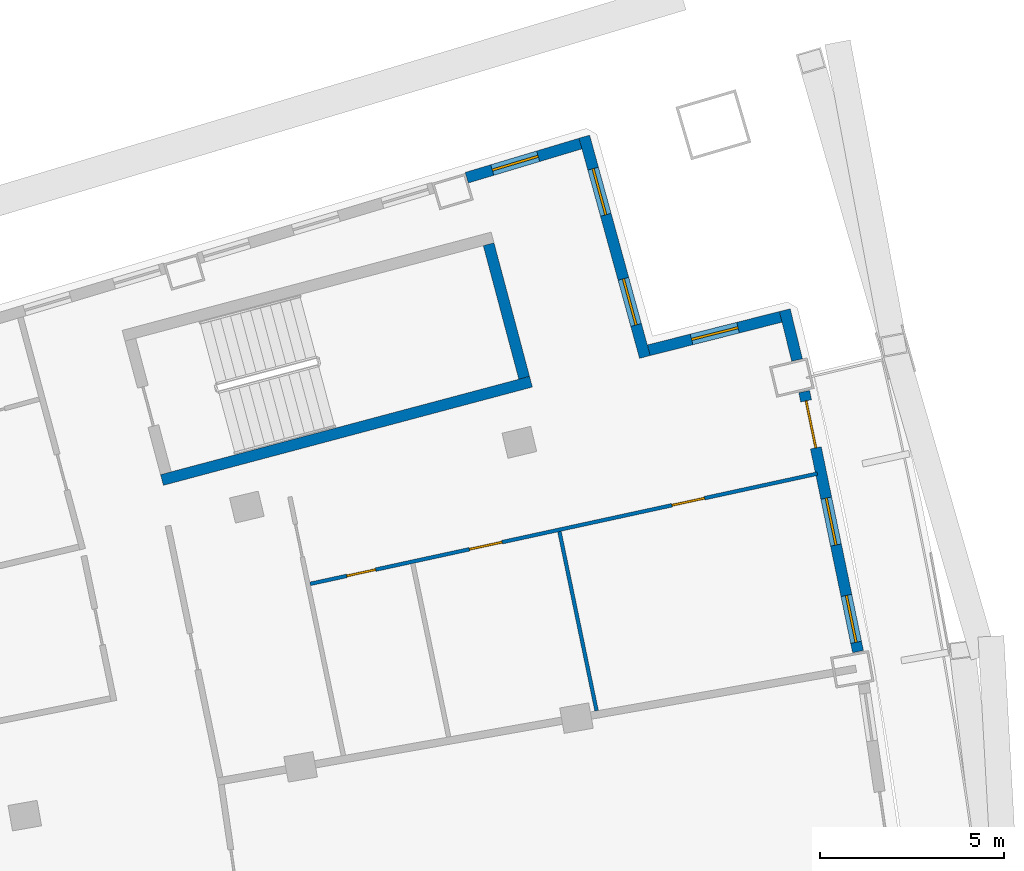
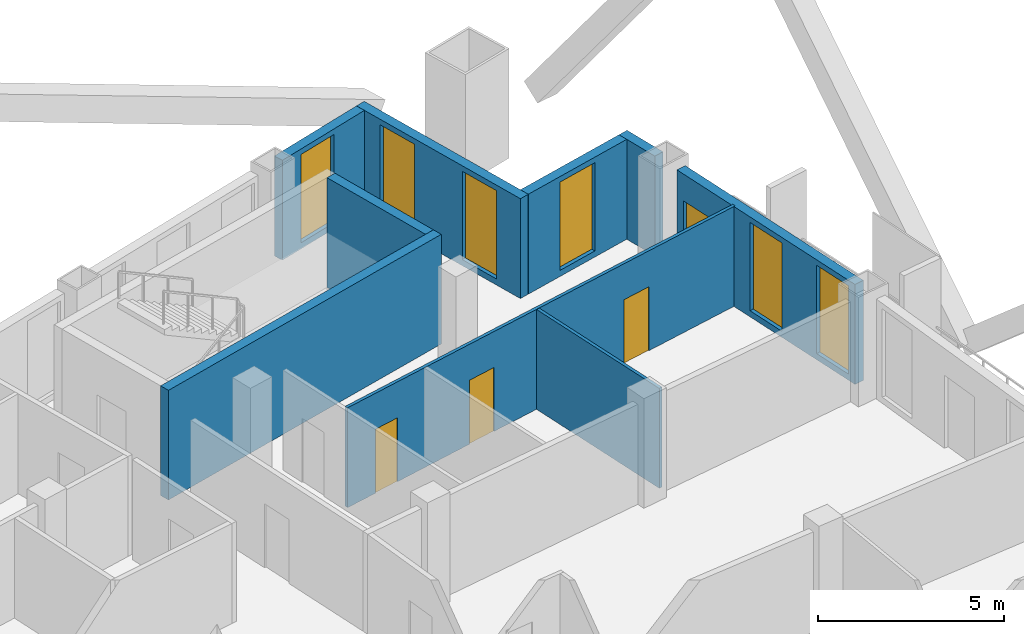
# One storey, part 16 of 20: 9 walls, 6 windows, 4 doors, 10 openings.
"""IFC4 building model written with IfcOpenShell, lengths in metres."""

from ifc_helpers import new_model, si_unit, direction, frame, frame_2d, origin, place, context, subcontext, project, spatial, rectangle, extrude, material, layer, layer_set, type_object, element, fill, save


model = new_model("IFC4")

# Units and contexts
model_context = context("Model", 3, precision=1e-05, world=origin(), true_north=direction((0.0, 1.0)))
body_context = subcontext(model_context, "Body", "Model", "MODEL_VIEW")
ifc_project = project(units=[si_unit("LENGTHUNIT", "METRE"), si_unit("AREAUNIT", "SQUARE_METRE"), si_unit("VOLUMEUNIT", "CUBIC_METRE"), si_unit("PLANEANGLEUNIT", "RADIAN"), si_unit("MASSUNIT", "GRAM", prefix="KILO")], contexts=[model_context])

# Site, building, storey
site_placement = place(None, origin())
site = spatial("IfcSite", under=ifc_project, at=site_placement, CompositionType="ELEMENT")
building_placement = place(site_placement, origin())
building = spatial("IfcBuilding", under=site, at=building_placement, Name="Alderwake Tower", CompositionType="ELEMENT")
storey_placement = place(building_placement, frame((0.0, 0.0, 189.199951171875)))
storey = spatial("IfcBuildingStorey", under=building, at=storey_placement, Name="L46", CompositionType="ELEMENT", Elevation=189.199951171875)

# Walls
ifc_material_1 = material(Name="Concrete C70/85", Category="concrete")
ifc_layer_1 = layer(ifc_material_1, 0.300048828125)
ifc_layer_set_1 = layer_set([ifc_layer_1], Name="Core wall stair enclosure 300 C70-85")
wall_type_1 = type_object("IfcWallType", Name="Core wall stair enclosure 300 C70-85", PredefinedType="SHEAR", material=ifc_layer_set_1)
wall_1_placement = place(storey_placement, frame((37.75390625, 90.268798828125, 0.0), z_axis=(0.0, 0.0, 1.0), x_axis=(0.966309214305, 0.257383958996, 0.0)))
element("IfcWall", 1, at=wall_1_placement, inside=storey, type_object=wall_type_1, Name="Core wall CW.084", PredefinedType="SHEAR", context=body_context, shape_type="SweptSolid", body=[
    extrude(rectangle(XDim=10.360107421875, YDim=0.300048828125, at=frame_2d((5.18017578125, 0.0))), origin(), (0.0, 0.0, 1.0), 3.60009765625),
])
wall_2_placement = place(storey_placement, frame((47.581298828125, 93.041748046875, 0.0), z_axis=(0.0, 0.0, 1.0), x_axis=(-0.257366821694, 0.966313778796, 0.0)))
element("IfcWall", 2, at=wall_2_placement, inside=storey, type_object=wall_type_1, Name="Core wall CW.081", PredefinedType="SHEAR", context=body_context, shape_type="SweptSolid", body=[
    extrude(rectangle(XDim=3.749755859375, YDim=0.300048828125, at=frame_2d((1.875, 0.0))), origin(), (0.0, 0.0, 1.0), 3.60009765625),
])

# Wall, openings, door, windows
ifc_material_2 = material(Name="Precast concrete C50/60 spandrel panel", Category="concrete")
ifc_layer_2 = layer(ifc_material_2, 0.300048828125)
ifc_layer_set_2 = layer_set([ifc_layer_2], Name="External wall EW1 Precast concrete C50/60 spandrel")
wall_type_2 = type_object("IfcWallType", Name="External wall EW1 Precast concrete C50/60 spandrel", PredefinedType="SOLIDWALL", material=ifc_layer_set_2)
wall_3_placement = place(storey_placement, frame((56.638427734375, 85.613037109375, 0.0), z_axis=(0.0, 0.0, 1.0), x_axis=(-0.202740086823, 0.979232585852, 0.0)))
wall_3 = element("IfcWall", 3, at=wall_3_placement, inside=storey, type_object=wall_type_2, Name="External wall 19", PredefinedType="SOLIDWALL", context=body_context, shape_type="SweptSolid", body=[
    extrude(rectangle(XDim=7.20361328125, YDim=0.300048828125, at=frame_2d((3.601806640625, 0.0))), origin(), (0.0, 0.0, 1.0), 3.280029296875),
])
opening_1_placement = place(wall_3_placement, frame((0.257080078125, 0.0, 0.199951171875)))
opening_1 = element("IfcOpeningElement", 4, at=opening_1_placement, cuts=wall_3, Name="Opening W1", PredefinedType="OPENING", context=body_context, shape_type="SweptSolid", body=[
    extrude(rectangle(XDim=1.300048828125, YDim=2.89990234375, at=frame_2d((0.64990234375, 1.449951171875))), frame((0.0, 0.159912109375, 0.0), z_axis=(0.0, -1.0, 0.0), x_axis=(1.0, 0.0, 0.0)), (0.0, 0.0, 1.0), 0.320068359375),
])
opening_2_placement = place(wall_3_placement, frame((2.951904296875, 0.0, 0.199951171875)))
opening_2 = element("IfcOpeningElement", 5, at=opening_2_placement, cuts=wall_3, Name="Opening W1", PredefinedType="OPENING", context=body_context, shape_type="SweptSolid", body=[
    extrude(rectangle(XDim=1.300048828125, YDim=2.89990234375, at=frame_2d((0.64990234375, 1.449951171875))), frame((0.0, 0.159912109375, 0.0), z_axis=(0.0, -1.0, 0.0), x_axis=(1.0, 0.0, 0.0)), (0.0, 0.0, 1.0), 0.320068359375),
])
opening_3_placement = place(wall_3_placement, frame((5.646484375, 0.0, 0.0)))
opening_3 = element("IfcOpeningElement", 6, at=opening_3_placement, cuts=wall_3, Name="Opening D08", PredefinedType="OPENING", context=body_context, shape_type="SweptSolid", body=[
    extrude(rectangle(XDim=1.300048828125, YDim=2.39990234375, at=frame_2d((0.64990234375, 1.199951171875))), frame((0.0, 0.159912109375, 0.0), z_axis=(0.0, -1.0, 0.0), x_axis=(1.0, 0.0, 0.0)), (0.0, 0.0, 1.0), 0.320068359375),
])
ifc_material_3 = material(Name="Bronze tinted glass in aluminium frame", Category="aluminium")
door_type_1 = type_object("IfcDoorType", Name="Balcony door BD sliding", OperationType="SLIDING_TO_LEFT", PredefinedType="DOOR", material=ifc_material_3)
door_1_placement = place(opening_3_placement, origin())
door_1 = element("IfcDoor", 7, at=door_1_placement, inside=storey, type_object=door_type_1, Name="Door D08", OperationType="SLIDING_TO_LEFT", OverallHeight=2.39990234375, OverallWidth=1.300048828125, PredefinedType="DOOR", context=body_context, shape_type="SweptSolid", body=[
    extrude(rectangle(XDim=1.300048828125, YDim=2.39990234375, at=frame_2d((0.64990234375, 1.199951171875))), frame((0.0, 0.02490234375, 0.0), z_axis=(0.0, -1.0, 0.0), x_axis=(1.0, 0.0, 0.0)), (0.0, 0.0, 1.0), 0.050048828125),
])
fill(opening_3, door_1)
ifc_material_4 = material(Name="Bronze tinted glass in aluminium frame", Category="aluminium")
window_type = type_object("IfcWindowType", Name="Window W1 tall fixed and vent", PartitioningType="DOUBLE_PANEL_VERTICAL", PredefinedType="WINDOW", material=ifc_material_4)
window_1_placement = place(opening_1_placement, origin())
window_1 = element("IfcWindow", 8, at=window_1_placement, inside=storey, type_object=window_type, Name="Window W1 tall fixed and vent", OverallHeight=2.89990234375, OverallWidth=1.300048828125, PartitioningType="DOUBLE_PANEL_VERTICAL", PredefinedType="WINDOW", context=body_context, shape_type="SweptSolid", body=[
    extrude(rectangle(XDim=1.300048828125, YDim=2.89990234375, at=frame_2d((0.64990234375, 1.449951171875))), frame((0.0, 0.030029296875, 0.0), z_axis=(0.0, -1.0, 0.0), x_axis=(1.0, 0.0, 0.0)), (0.0, 0.0, 1.0), 0.06005859375),
])
fill(opening_1, window_1)
window_2_placement = place(opening_2_placement, origin())
window_2 = element("IfcWindow", 9, at=window_2_placement, inside=storey, type_object=window_type, Name="Window W1 tall fixed and vent", OverallHeight=2.89990234375, OverallWidth=1.300048828125, PartitioningType="DOUBLE_PANEL_VERTICAL", PredefinedType="WINDOW", context=body_context, shape_type="SweptSolid", body=[
    extrude(rectangle(XDim=1.300048828125, YDim=2.89990234375, at=frame_2d((0.64990234375, 1.449951171875))), frame((0.0, 0.030029296875, 0.0), z_axis=(0.0, -1.0, 0.0), x_axis=(1.0, 0.0, 0.0)), (0.0, 0.0, 1.0), 0.06005859375),
])
fill(opening_2, window_2)

# Wall
wall_4_placement = place(storey_placement, frame((54.984619140625, 93.523193359375, 0.0), z_axis=(0.0, 0.0, 1.0), x_axis=(-0.238290079451, 0.971194026977, 0.0)))
element("IfcWall", 10, at=wall_4_placement, inside=storey, type_object=wall_type_2, Name="External wall 20", PredefinedType="SOLIDWALL", context=body_context, shape_type="SweptSolid", body=[
    extrude(rectangle(XDim=1.39453125, YDim=0.300048828125, at=frame_2d((0.697265625, 0.0))), origin(), (0.0, 0.0, 1.0), 3.280029296875),
])

# Wall, opening, window
ifc_material_5 = material(Name="Bronze metal cladding on lightweight framing")
ifc_layer_3 = layer(ifc_material_5, 0.300048828125)
ifc_layer_set_3 = layer_set([ifc_layer_3], Name="External wall EW2 bronze metal cladding")
wall_type_3 = type_object("IfcWallType", Name="External wall EW2 bronze metal cladding", PredefinedType="SOLIDWALL", material=ifc_layer_set_3)
wall_5_placement = place(storey_placement, frame((54.542724609375, 94.695068359375, 0.0), z_axis=(0.0, 0.0, 1.0), x_axis=(-0.96941119971, -0.245442306614, 0.0)))
wall_5 = element("IfcWall", 11, at=wall_5_placement, inside=storey, type_object=wall_type_3, Name="External wall 21", PredefinedType="SOLIDWALL", context=body_context, shape_type="SweptSolid", body=[
    extrude(rectangle(XDim=3.6943359375, YDim=0.300048828125, at=frame_2d((1.84716796875, 0.0))), origin(), (0.0, 0.0, 1.0), 3.280029296875),
])
opening_4_placement = place(wall_5_placement, frame((1.197021484375, 0.0, 0.199951171875)))
opening_4 = element("IfcOpeningElement", 12, at=opening_4_placement, cuts=wall_5, Name="Opening W1", PredefinedType="OPENING", context=body_context, shape_type="SweptSolid", body=[
    extrude(rectangle(XDim=1.300048828125, YDim=2.89990234375, at=frame_2d((0.64990234375, 1.449951171875))), frame((0.0, 0.159912109375, 0.0), z_axis=(0.0, -1.0, 0.0), x_axis=(1.0, 0.0, 0.0)), (0.0, 0.0, 1.0), 0.320068359375),
])
window_3_placement = place(opening_4_placement, origin())
window_3 = element("IfcWindow", 13, at=window_3_placement, inside=storey, type_object=window_type, Name="Window W1 tall fixed and vent", OverallHeight=2.89990234375, OverallWidth=1.300048828125, PartitioningType="DOUBLE_PANEL_VERTICAL", PredefinedType="WINDOW", context=body_context, shape_type="SweptSolid", body=[
    extrude(rectangle(XDim=1.300048828125, YDim=2.89990234375, at=frame_2d((0.64990234375, 1.449951171875))), frame((0.0, 0.030029296875, 0.0), z_axis=(0.0, -1.0, 0.0), x_axis=(1.0, 0.0, 0.0)), (0.0, 0.0, 1.0), 0.06005859375),
])
fill(opening_4, window_3)

# Wall, openings, windows
wall_6_placement = place(storey_placement, frame((50.855712890625, 93.60693359375, 0.0), z_axis=(0.0, 0.0, 1.0), x_axis=(-0.265079594789, 0.96422653377, 0.0)))
wall_6 = element("IfcWall", 14, at=wall_6_placement, inside=storey, type_object=wall_type_3, Name="External wall 22", PredefinedType="SOLIDWALL", context=body_context, shape_type="SweptSolid", body=[
    extrude(rectangle(XDim=6.19921875, YDim=0.300048828125, at=frame_2d((3.099609375, 0.0))), origin(), (0.0, 0.0, 1.0), 3.280029296875),
])
opening_5_placement = place(wall_6_placement, frame((0.89990234375, 0.0, 0.199951171875)))
opening_5 = element("IfcOpeningElement", 15, at=opening_5_placement, cuts=wall_6, Name="Opening W1", PredefinedType="OPENING", context=body_context, shape_type="SweptSolid", body=[
    extrude(rectangle(XDim=1.300048828125, YDim=2.89990234375, at=frame_2d((0.64990234375, 1.449951171875))), frame((0.0, 0.159912109375, 0.0), z_axis=(0.0, -1.0, 0.0), x_axis=(1.0, 0.0, 0.0)), (0.0, 0.0, 1.0), 0.320068359375),
])
opening_6_placement = place(wall_6_placement, frame((3.99951171875, 0.0, 0.199951171875)))
opening_6 = element("IfcOpeningElement", 16, at=opening_6_placement, cuts=wall_6, Name="Opening W1", PredefinedType="OPENING", context=body_context, shape_type="SweptSolid", body=[
    extrude(rectangle(XDim=1.300048828125, YDim=2.89990234375, at=frame_2d((0.64990234375, 1.449951171875))), frame((0.0, 0.159912109375, 0.0), z_axis=(0.0, -1.0, 0.0), x_axis=(1.0, 0.0, 0.0)), (0.0, 0.0, 1.0), 0.320068359375),
])
window_4_placement = place(opening_5_placement, origin())
window_4 = element("IfcWindow", 17, at=window_4_placement, inside=storey, type_object=window_type, Name="Window W1 tall fixed and vent", OverallHeight=2.89990234375, OverallWidth=1.300048828125, PartitioningType="DOUBLE_PANEL_VERTICAL", PredefinedType="WINDOW", context=body_context, shape_type="SweptSolid", body=[
    extrude(rectangle(XDim=1.300048828125, YDim=2.89990234375, at=frame_2d((0.64990234375, 1.449951171875))), frame((0.0, 0.030029296875, 0.0), z_axis=(0.0, -1.0, 0.0), x_axis=(1.0, 0.0, 0.0)), (0.0, 0.0, 1.0), 0.06005859375),
])
fill(opening_5, window_4)
window_5_placement = place(opening_6_placement, origin())
window_5 = element("IfcWindow", 18, at=window_5_placement, inside=storey, type_object=window_type, Name="Window W1 tall fixed and vent", OverallHeight=2.89990234375, OverallWidth=1.300048828125, PartitioningType="DOUBLE_PANEL_VERTICAL", PredefinedType="WINDOW", context=body_context, shape_type="SweptSolid", body=[
    extrude(rectangle(XDim=1.300048828125, YDim=2.89990234375, at=frame_2d((0.64990234375, 1.449951171875))), frame((0.0, 0.030029296875, 0.0), z_axis=(0.0, -1.0, 0.0), x_axis=(1.0, 0.0, 0.0)), (0.0, 0.0, 1.0), 0.06005859375),
])
fill(opening_6, window_5)

# Wall, opening, window
wall_7_placement = place(storey_placement, frame((49.1083984375, 99.396728515625, 0.0), z_axis=(0.0, 0.0, 1.0), x_axis=(-0.957765770584, -0.287549523906, 0.0)))
wall_7 = element("IfcWall", 19, at=wall_7_placement, inside=storey, type_object=wall_type_3, Name="External wall 23", PredefinedType="SOLIDWALL", context=body_context, shape_type="SweptSolid", body=[
    extrude(rectangle(XDim=3.22119140625, YDim=0.300048828125, at=frame_2d((1.610595703125, 0.0))), origin(), (0.0, 0.0, 1.0), 3.280029296875),
])
opening_7_placement = place(wall_7_placement, frame((1.198974609375, 0.0, 0.199951171875)))
opening_7 = element("IfcOpeningElement", 20, at=opening_7_placement, cuts=wall_7, Name="Opening W1", PredefinedType="OPENING", context=body_context, shape_type="SweptSolid", body=[
    extrude(rectangle(XDim=1.300048828125, YDim=2.89990234375, at=frame_2d((0.64990234375, 1.449951171875))), frame((0.0, 0.159912109375, 0.0), z_axis=(0.0, -1.0, 0.0), x_axis=(1.0, 0.0, 0.0)), (0.0, 0.0, 1.0), 0.320068359375),
])
window_6_placement = place(opening_7_placement, origin())
window_6 = element("IfcWindow", 21, at=window_6_placement, inside=storey, type_object=window_type, Name="Window W1 tall fixed and vent", OverallHeight=2.89990234375, OverallWidth=1.300048828125, PartitioningType="DOUBLE_PANEL_VERTICAL", PredefinedType="WINDOW", context=body_context, shape_type="SweptSolid", body=[
    extrude(rectangle(XDim=1.300048828125, YDim=2.89990234375, at=frame_2d((0.64990234375, 1.449951171875))), frame((0.0, 0.030029296875, 0.0), z_axis=(0.0, -1.0, 0.0), x_axis=(1.0, 0.0, 0.0)), (0.0, 0.0, 1.0), 0.06005859375),
])
fill(opening_7, window_6)

# Wall, openings, doors
ifc_material_6 = material(Name="Gypsum board on metal studs")
ifc_layer_4 = layer(ifc_material_6, 0.10009765625)
ifc_layer_set_4 = layer_set([ifc_layer_4], Name="Unit partition 100")
wall_type_4 = type_object("IfcWallType", Name="Unit partition 100", PredefinedType="PARTITIONING", material=ifc_layer_set_4)
wall_8_placement = place(storey_placement, frame((55.535888671875, 90.44091796875, 0.0), z_axis=(0.0, 0.0, 1.0), x_axis=(-0.977199201012, -0.212324566507, 0.0)))
wall_8 = element("IfcWall", 22, at=wall_8_placement, inside=storey, type_object=wall_type_4, Name="WL/L46/W48", PredefinedType="PARTITIONING", context=body_context, shape_type="SweptSolid", body=[
    extrude(rectangle(XDim=14.083251953125, YDim=0.10009765625, at=frame_2d((7.04150390625, 0.0))), origin(), (0.0, 0.0, 1.0), 3.280029296875),
])
opening_8_placement = place(wall_8_placement, frame((8.757568359375, 0.0, 0.0)))
opening_8 = element("IfcOpeningElement", 23, at=opening_8_placement, cuts=wall_8, Name="Opening R13-U07.1", PredefinedType="OPENING", context=body_context, shape_type="SweptSolid", body=[
    extrude(rectangle(XDim=0.89990234375, YDim=2.10009765625, at=frame_2d((0.449951171875, 1.050048828125))), frame((0.0, 0.06005859375, 0.0), z_axis=(0.0, -1.0, 0.0), x_axis=(1.0, 0.0, 0.0)), (0.0, 0.0, 1.0), 0.1201171875),
])
opening_9_placement = place(wall_8_placement, frame((12.26416015625, 0.0, 0.0)))
opening_9 = element("IfcOpeningElement", 24, at=opening_9_placement, cuts=wall_8, Name="Opening R13-U07.4", PredefinedType="OPENING", context=body_context, shape_type="SweptSolid", body=[
    extrude(rectangle(XDim=0.800048828125, YDim=2.10009765625, at=frame_2d((0.39990234375, 1.050048828125))), frame((0.0, 0.06005859375, 0.0), z_axis=(0.0, -1.0, 0.0), x_axis=(1.0, 0.0, 0.0)), (0.0, 0.0, 1.0), 0.1201171875),
])
opening_10_placement = place(wall_8_placement, frame((3.135009765625, 0.0, 0.0)))
opening_10 = element("IfcOpeningElement", 25, at=opening_10_placement, cuts=wall_8, Name="Opening R13-U07.5", PredefinedType="OPENING", context=body_context, shape_type="SweptSolid", body=[
    extrude(rectangle(XDim=0.89990234375, YDim=2.10009765625, at=frame_2d((0.449951171875, 1.050048828125))), frame((0.0, 0.06005859375, 0.0), z_axis=(0.0, -1.0, 0.0), x_axis=(1.0, 0.0, 0.0)), (0.0, 0.0, 1.0), 0.1201171875),
])
ifc_material_7 = material(Name="Painted timber leaf", Category="wood")
door_type_2 = type_object("IfcDoorType", Name="Bathroom door 800", OperationType="SINGLE_SWING_LEFT", PredefinedType="DOOR", material=ifc_material_7)
door_2_placement = place(opening_9_placement, origin())
door_2 = element("IfcDoor", 26, at=door_2_placement, inside=storey, type_object=door_type_2, Name="DR/L46/U07.4", OperationType="SINGLE_SWING_LEFT", OverallHeight=2.10009765625, OverallWidth=0.800048828125, PredefinedType="DOOR", context=body_context, shape_type="SweptSolid", body=[
    extrude(rectangle(XDim=0.800048828125, YDim=2.10009765625, at=frame_2d((0.39990234375, 1.050048828125))), frame((0.0, 0.02490234375, 0.0), z_axis=(0.0, -1.0, 0.0), x_axis=(1.0, 0.0, 0.0)), (0.0, 0.0, 1.0), 0.050048828125),
])
fill(opening_9, door_2)
ifc_material_8 = material(Name="Painted timber leaf", Category="wood")
door_type_3 = type_object("IfcDoorType", Name="Room door 900", OperationType="SINGLE_SWING_LEFT", PredefinedType="DOOR", material=ifc_material_8)
door_3_placement = place(opening_8_placement, origin())
door_3 = element("IfcDoor", 27, at=door_3_placement, inside=storey, type_object=door_type_3, Name="DR/L46/U07.1", OperationType="SINGLE_SWING_LEFT", OverallHeight=2.10009765625, OverallWidth=0.89990234375, PredefinedType="DOOR", context=body_context, shape_type="SweptSolid", body=[
    extrude(rectangle(XDim=0.89990234375, YDim=2.10009765625, at=frame_2d((0.449951171875, 1.050048828125))), frame((0.0, 0.02490234375, 0.0), z_axis=(0.0, -1.0, 0.0), x_axis=(1.0, 0.0, 0.0)), (0.0, 0.0, 1.0), 0.050048828125),
])
fill(opening_8, door_3)
door_4_placement = place(opening_10_placement, origin())
door_4 = element("IfcDoor", 28, at=door_4_placement, inside=storey, type_object=door_type_3, Name="DR/L46/U07.5", OperationType="SINGLE_SWING_LEFT", OverallHeight=2.10009765625, OverallWidth=0.89990234375, PredefinedType="DOOR", context=body_context, shape_type="SweptSolid", body=[
    extrude(rectangle(XDim=0.89990234375, YDim=2.10009765625, at=frame_2d((0.449951171875, 1.050048828125))), frame((0.0, 0.02490234375, 0.0), z_axis=(0.0, -1.0, 0.0), x_axis=(1.0, 0.0, 0.0)), (0.0, 0.0, 1.0), 0.050048828125),
])
fill(opening_10, door_4)

# Wall
wall_9_placement = place(storey_placement, frame((49.545654296875, 84.008056640625, 0.0), z_axis=(0.0, 0.0, 1.0), x_axis=(-0.203007352499, 0.97917721319, 0.0)))
element("IfcWall", 29, at=wall_9_placement, inside=storey, type_object=wall_type_4, Name="WL/L46/W50", PredefinedType="PARTITIONING", context=body_context, shape_type="SweptSolid", body=[
    extrude(rectangle(XDim=4.963134765625, YDim=0.10009765625, at=frame_2d((2.4814453125, 0.0))), origin(), (0.0, 0.0, 1.0), 3.280029296875),
])

save(model, "model.ifc")
